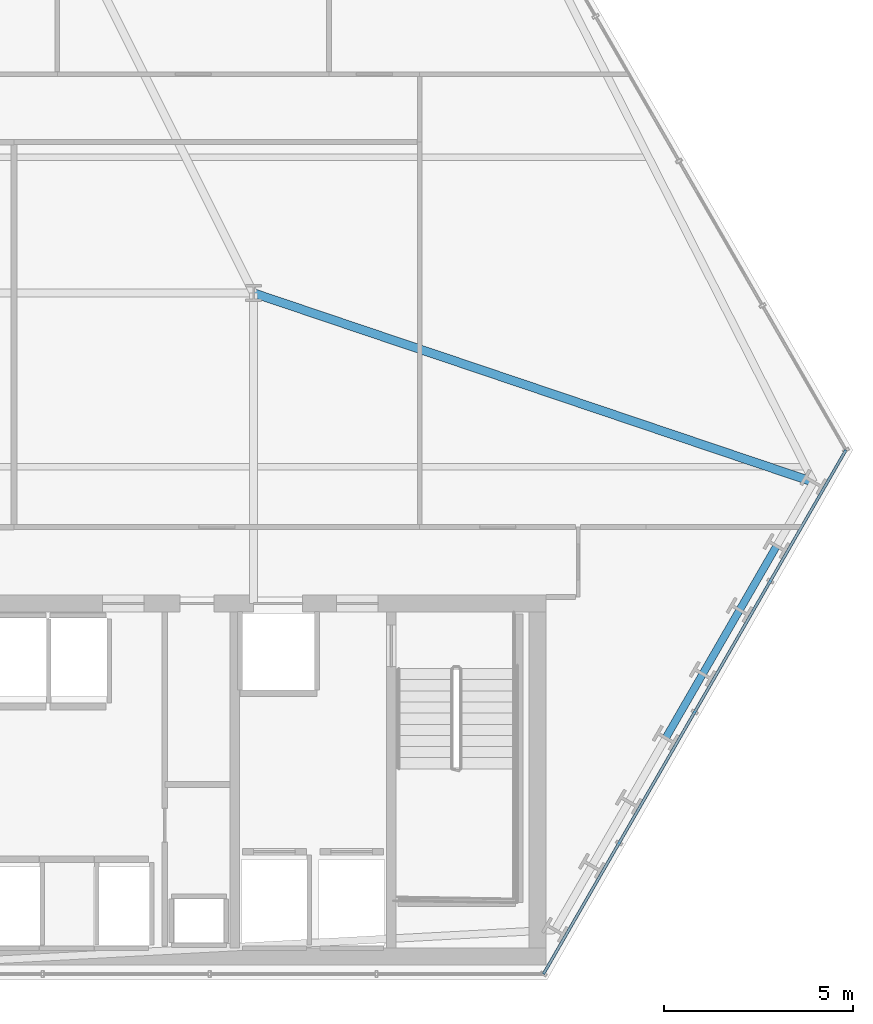
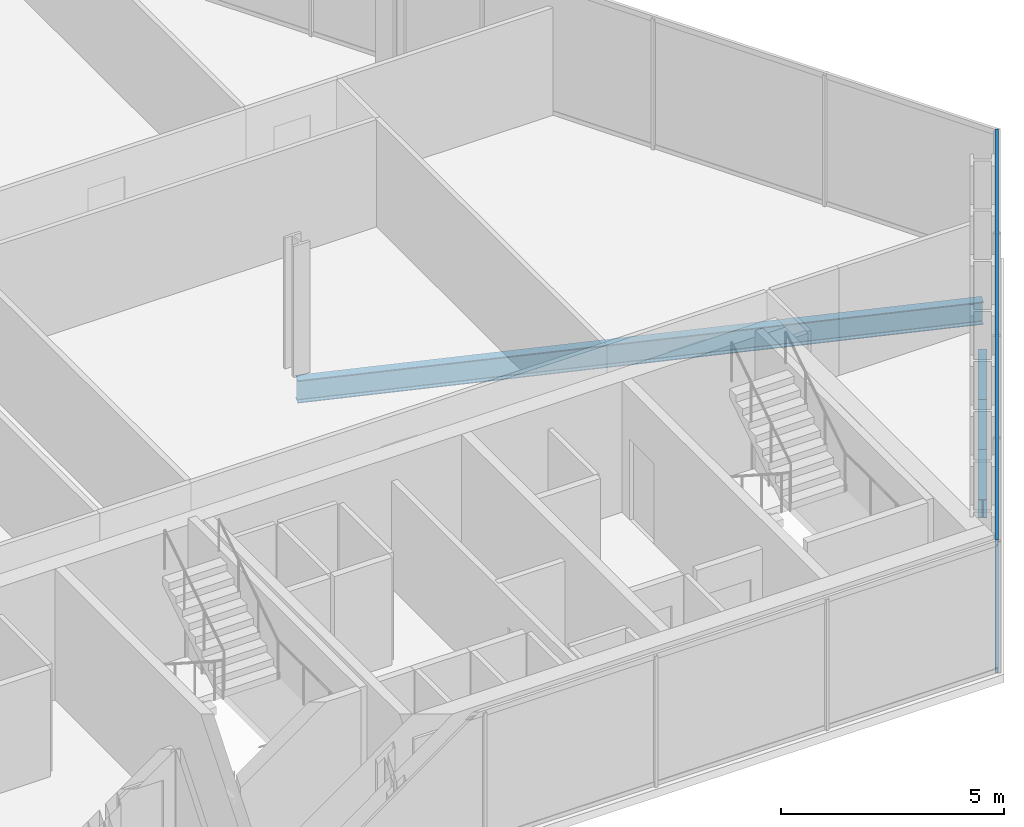
# One storey, part 15 of 32: 4 beams, 2 members, 1 element without a shape of its own.
"""IFC4 building model written with IfcOpenShell, lengths in metres."""

from ifc_helpers import new_model, si_unit, direction, frame, origin, origin_2d, place, context, subcontext, project, spatial, hollow_rectangle, i_section, extrude, material, layer, layer_set, material_profile, profile_set, type_object, element, aggregate, save


model = new_model("IFC4")

# Units and contexts
model_context = context("Model", 3, precision=1e-05, world=origin(), true_north=direction((0.0, 1.0)))
body_context = subcontext(model_context, "Body", "Model", "MODEL_VIEW")
ifc_project = project(units=[si_unit("LENGTHUNIT", "METRE"), si_unit("AREAUNIT", "SQUARE_METRE"), si_unit("VOLUMEUNIT", "CUBIC_METRE"), si_unit("PLANEANGLEUNIT", "RADIAN"), si_unit("MASSUNIT", "GRAM", prefix="KILO")], contexts=[model_context])

# Site, building, storey
site_placement = place(None, origin())
site = spatial("IfcSite", under=ifc_project, at=site_placement, CompositionType="ELEMENT")
building_placement = place(site_placement, origin())
building = spatial("IfcBuilding", under=site, at=building_placement, Name="Ndaravel Arena Tower", CompositionType="ELEMENT")
storey_placement = place(building_placement, frame((0.0, 0.0, 51.199951171875)))
storey = spatial("IfcBuildingStorey", under=building, at=storey_placement, Name="L10", CompositionType="ELEMENT", Elevation=51.199951171875)

# Beams
ifc_material_1 = material(Name="Steel S355", Category="steel")
ifc_material_profile_1 = material_profile(ifc_material_1, i_section(OverallWidth=0.230224609375, OverallDepth=0.6171875, WebThickness=0.01318359375, FlangeThickness=0.022216796875, FilletRadius=0.0126953125, at=origin_2d()), Name="UB 610x229x140")
ifc_profile_set_1 = profile_set([ifc_material_profile_1], Name="Steel S355")
beam_type_1 = type_object("IfcBeamType", Name="BM-GIRD-UB610B", PredefinedType="BEAM", material=ifc_profile_set_1)
beam_1_placement = place(storey_placement, frame((64.634521484375, 18.19189453125, -0.528564453125), z_axis=(-0.947464755248, 0.319860184398, 0.0), x_axis=(-0.319860184398, -0.947464755248, 0.0)))
element("IfcBeam", 1, at=beam_1_placement, inside=storey, type_object=beam_type_1, Name="L10 Radial Floor Girder FG-09", PredefinedType="BEAM", context=body_context, shape_type="SweptSolid", body=[
    extrude(i_section(OverallWidth=0.230224609375, OverallDepth=0.6171875, WebThickness=0.01318359375, FlangeThickness=0.022216796875, FilletRadius=0.0126953125, at=origin_2d()), origin(), (0.0, 0.0, 1.0), 15.656982421875),
])
ifc_material_2 = material(Name="Steel S355", Category="steel")
ifc_material_profile_2 = material_profile(ifc_material_2, i_section(OverallWidth=0.199951171875, OverallDepth=0.5, WebThickness=0.01025390625, FlangeThickness=0.01611328125, FilletRadius=0.02099609375, at=origin_2d()), Name="IPE 500")
ifc_profile_set_2 = profile_set([ifc_material_profile_2], Name="Steel S355")
beam_type_2 = type_object("IfcBeamType", Name="BM-SPAN-IPE500", PredefinedType="SPANDREL", material=ifc_profile_set_2)
beam_2_placement = place(storey_placement, frame((60.72021484375, 11.412353515625, -0.469970703125), z_axis=(0.500003221507, 0.866023543838, 0.0), x_axis=(-0.866023543838, 0.500003221507, 0.0)))
element("IfcBeam", 2, at=beam_2_placement, inside=storey, type_object=beam_type_2, Name="L10 Perimeter Spandrel Beam SP-05", PredefinedType="SPANDREL", context=body_context, shape_type="SweptSolid", body=[
    extrude(i_section(OverallWidth=0.199951171875, OverallDepth=0.5, WebThickness=0.01025390625, FlangeThickness=0.01611328125, FilletRadius=0.02099609375, at=origin_2d()), origin(), (0.0, 0.0, 1.0), 1.95703125),
])
beam_3_placement = place(storey_placement, frame((61.69873046875, 13.107177734375, -0.469970703125), z_axis=(0.49994920724, 0.866054727012, 0.0), x_axis=(-0.866054727012, 0.49994920724, 0.0)))
element("IfcBeam", 3, at=beam_3_placement, inside=storey, type_object=beam_type_2, Name="L10 Perimeter Spandrel Beam SP-06", PredefinedType="SPANDREL", context=body_context, shape_type="SweptSolid", body=[
    extrude(i_section(OverallWidth=0.199951171875, OverallDepth=0.5, WebThickness=0.01025390625, FlangeThickness=0.01611328125, FilletRadius=0.02099609375, at=origin_2d()), origin(), (0.0, 0.0, 1.0), 1.957275390625),
])
beam_4_placement = place(storey_placement, frame((62.67724609375, 14.80224609375, -0.469970703125), z_axis=(0.500096775829, 0.865969523024, 0.0), x_axis=(-0.865969523024, 0.500096775829, 0.0)))
element("IfcBeam", 4, at=beam_4_placement, inside=storey, type_object=beam_type_2, Name="L10 Perimeter Spandrel Beam SP-07", PredefinedType="SPANDREL", context=body_context, shape_type="SweptSolid", body=[
    extrude(i_section(OverallWidth=0.199951171875, OverallDepth=0.5, WebThickness=0.01025390625, FlangeThickness=0.01611328125, FilletRadius=0.02099609375, at=origin_2d()), origin(), (0.0, 0.0, 1.0), 1.95703125),
])

# Curtain wall, members
ifc_material_3 = material(Name="Aluminium", Category="aluminium")
ifc_layer = layer(ifc_material_3, 0.179931640625)
ifc_layer_set = layer_set([ifc_layer], Name="Aluminium")
curtain_wall_type = type_object("IfcCurtainWallType", Name="CW-SYS-01", PredefinedType="NOTDEFINED", material=ifc_layer_set)
curtain_wall_placement = place(storey_placement, origin())
curtain_wall = element("IfcCurtainWall", 5, at=curtain_wall_placement, inside=storey, type_object=curtain_wall_type, Name="L10 Faceted Crystal Curtain Wall CW-L10-E02", PredefinedType="NOTDEFINED")
ifc_material_4 = material(Name="Aluminium", Category="aluminium")
ifc_material_profile_3 = material_profile(ifc_material_4, hollow_rectangle(XDim=0.074951171875, YDim=0.14990234375, WallThickness=0.00390625, at=origin_2d()), Name="CW TRANSOM 75x150x4")
ifc_profile_set_3 = profile_set([ifc_material_profile_3], Name="Aluminium")
member_type = type_object("IfcMemberType", Name="MEM-CW-TRN150", PredefinedType="USERDEFINED", material=ifc_profile_set_3)
member_1_placement = place(storey_placement, frame((57.47998046875, 5.159912109375, 0.0400390625), z_axis=(0.499989258689, 0.866031605195, 0.0), x_axis=(-0.866031605195, 0.499989258689, 0.0)))
member_1 = element("IfcMember", 6, at=member_1_placement, type_object=member_type, Name="CW-L10-E02 Transom 01", ObjectType="TRANSOM", PredefinedType="USERDEFINED", context=body_context, shape_type="SweptSolid", body=[
    extrude(hollow_rectangle(XDim=0.074951171875, YDim=0.14990234375, WallThickness=0.00390625, at=origin_2d()), origin(), (0.0, 0.0, 1.0), 16.026611328125),
])
member_2_placement = place(storey_placement, frame((57.47998046875, 5.159912109375, 3.5400390625), z_axis=(0.499989258689, 0.866031605195, 0.0), x_axis=(-0.866031605195, 0.499989258689, 0.0)))
member_2 = element("IfcMember", 7, at=member_2_placement, type_object=member_type, Name="CW-L10-E02 Transom 02", ObjectType="TRANSOM", PredefinedType="USERDEFINED", context=body_context, shape_type="SweptSolid", body=[
    extrude(hollow_rectangle(XDim=0.074951171875, YDim=0.14990234375, WallThickness=0.00390625, at=origin_2d()), origin(), (0.0, 0.0, 1.0), 16.026611328125),
])
aggregate(curtain_wall, [member_1, member_2])

save(model, "model.ifc")
